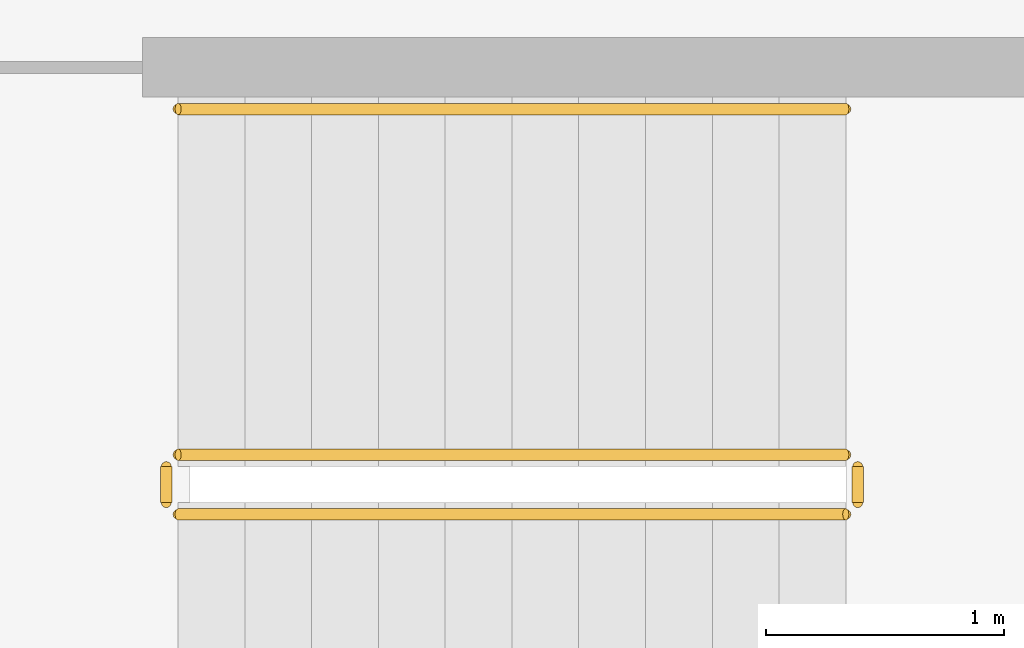
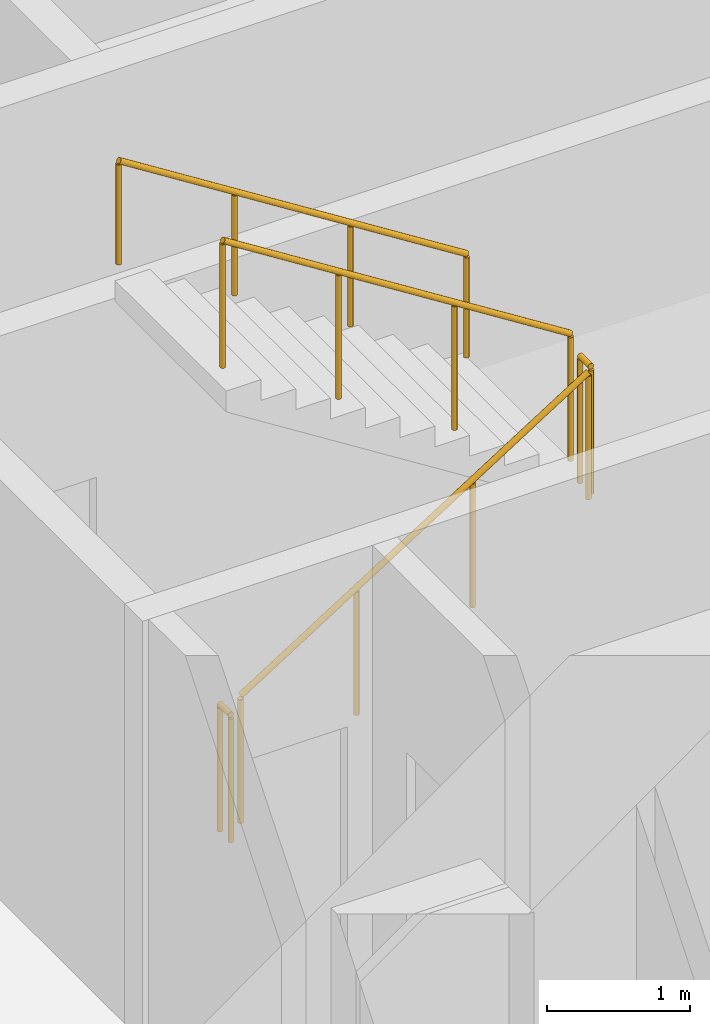
# One storey, part 16 of 24: 5 railings.
"""IFC4 building model written with IfcOpenShell, lengths in metres."""

from ifc_helpers import new_model, si_unit, direction, frame, origin, origin_2d, place, context, subcontext, project, spatial, circle, extrude, material, type_object, element, save


model = new_model("IFC4")

# Units and contexts
model_context = context("Model", 3, precision=1e-05, world=origin(), true_north=direction((0.0, 1.0)))
body_context = subcontext(model_context, "Body", "Model", "MODEL_VIEW")
ifc_project = project(units=[si_unit("LENGTHUNIT", "METRE"), si_unit("AREAUNIT", "SQUARE_METRE"), si_unit("VOLUMEUNIT", "CUBIC_METRE"), si_unit("PLANEANGLEUNIT", "RADIAN"), si_unit("MASSUNIT", "GRAM", prefix="KILO")], contexts=[model_context])

# Site, building, storey
site_placement = place(None, origin())
site = spatial("IfcSite", under=ifc_project, at=site_placement, CompositionType="ELEMENT")
building_placement = place(site_placement, origin())
building = spatial("IfcBuilding", under=site, at=building_placement, Name="Dhurran Vertical Campus", CompositionType="ELEMENT")
storey_placement = place(building_placement, frame((0.0, 0.0, 132.60009765625)))
storey = spatial("IfcBuildingStorey", under=building, at=storey_placement, Name="L32", CompositionType="ELEMENT", Elevation=132.60009765625)

# Railings
ifc_material_1 = material(Name="Stainless steel balustrade", Category="steel")
railing_type_1 = type_object("IfcRailingType", Name="co-RL-GUARD-1100", PredefinedType="GUARDRAIL", material=ifc_material_1)
railing_1_placement = place(storey_placement, frame((-11.10009765625, -9.14990234375, 0.17724609375)))
element("IfcRailing", 1, at=railing_1_placement, inside=storey, type_object=railing_type_1, Name="L32 ST3 stair guard 1", PredefinedType="GUARDRAIL", context=body_context, shape_type="SweptSolid", body=[
    extrude(circle(Radius=0.02392578125, at=origin_2d()), frame((0.0, 0.0, 1.076171875), z_axis=(0.844908973607, 0.0, 0.534910110503), x_axis=(0.0, 1.0, 0.0)), (0.0, 0.0, 1.0), 3.31396484375),
    extrude(circle(Radius=0.02099609375, at=origin_2d()), origin(), (0.0, 0.0, 1.0), 1.052001953125),
    extrude(circle(Radius=0.02099609375, at=origin_2d()), frame((0.933349609375, 0.0, 0.5908203125)), (0.0, 0.0, 1.0), 1.052001953125),
    extrude(circle(Radius=0.02099609375, at=origin_2d()), frame((1.86669921875, 0.0, 1.181884765625)), (0.0, 0.0, 1.0), 1.052001953125),
    extrude(circle(Radius=0.02099609375, at=origin_2d()), frame((2.800048828125, 0.0, 1.772705078125)), (0.0, 0.0, 1.0), 1.052001953125),
])
railing_2_placement = place(storey_placement, frame((-8.25, -9.10009765625, 1.949951171875)))
element("IfcRailing", 2, at=railing_2_placement, inside=storey, type_object=railing_type_1, Name="L32 ST3 stair guard 2", PredefinedType="GUARDRAIL", context=body_context, shape_type="SweptSolid", body=[
    extrude(circle(Radius=0.02392578125, at=origin_2d()), frame((0.0, 0.0, 1.076171875), z_axis=(0.0, 1.0, 0.0), x_axis=(-1.0, 0.0, 0.0)), (0.0, 0.0, 1.0), 0.150146484375),
    extrude(circle(Radius=0.02099609375, at=origin_2d()), origin(), (0.0, 0.0, 1.0), 1.052001953125),
    extrude(circle(Radius=0.02099609375, at=origin_2d()), frame((0.0, 0.150146484375, 0.0)), (0.0, 0.0, 1.0), 1.052001953125),
])
railing_3_placement = place(storey_placement, frame((-8.300048828125, -8.89990234375, 2.127197265625)))
element("IfcRailing", 3, at=railing_3_placement, inside=storey, type_object=railing_type_1, Name="L32 ST3 stair guard 3", PredefinedType="GUARDRAIL", context=body_context, shape_type="SweptSolid", body=[
    extrude(circle(Radius=0.02392578125, at=origin_2d()), frame((0.0, 0.0, 1.076171875), z_axis=(-0.844908973607, 0.0, 0.534910110503), x_axis=(0.0, -1.0, 0.0)), (0.0, 0.0, 1.0), 3.31396484375),
    extrude(circle(Radius=0.02099609375, at=origin_2d()), origin(), (0.0, 0.0, 1.0), 1.052001953125),
    extrude(circle(Radius=0.02099609375, at=origin_2d()), frame((-0.933349609375, 0.0, 0.5908203125)), (0.0, 0.0, 1.0), 1.052001953125),
    extrude(circle(Radius=0.02099609375, at=origin_2d()), frame((-1.86669921875, 0.0, 1.181884765625)), (0.0, 0.0, 1.0), 1.052001953125),
    extrude(circle(Radius=0.02099609375, at=origin_2d()), frame((-2.800048828125, 0.0, 1.772705078125)), (0.0, 0.0, 1.0), 1.052001953125),
])
railing_4_placement = place(storey_placement, frame((-11.14990234375, -9.10009765625, 0.0)))
element("IfcRailing", 4, at=railing_4_placement, inside=storey, type_object=railing_type_1, Name="L32 ST3 stair guard 4", PredefinedType="GUARDRAIL", context=body_context, shape_type="SweptSolid", body=[
    extrude(circle(Radius=0.02392578125, at=origin_2d()), frame((0.0, 0.0, 1.076171875), z_axis=(0.0, 1.0, 0.0), x_axis=(-1.0, 0.0, 0.0)), (0.0, 0.0, 1.0), 0.150146484375),
    extrude(circle(Radius=0.02099609375, at=origin_2d()), origin(), (0.0, 0.0, 1.0), 1.052001953125),
    extrude(circle(Radius=0.02099609375, at=origin_2d()), frame((0.0, 0.150146484375, 0.0)), (0.0, 0.0, 1.0), 1.052001953125),
])
ifc_material_2 = material(Name="Stainless steel handrail", Category="steel")
railing_type_2 = type_object("IfcRailingType", Name="co-RL-HANDRAIL-900", PredefinedType="HANDRAIL", material=ifc_material_2)
railing_5_placement = place(storey_placement, frame((-8.300048828125, -7.449951171875, 2.127197265625)))
element("IfcRailing", 5, at=railing_5_placement, inside=storey, type_object=railing_type_2, Name="L32 ST3 stair handrail 2", PredefinedType="HANDRAIL", context=body_context, shape_type="SweptSolid", body=[
    extrude(circle(Radius=0.02392578125, at=origin_2d()), frame((0.0, 0.0, 0.8759765625), z_axis=(-0.844908973607, 0.0, 0.534910110503), x_axis=(0.0, -1.0, 0.0)), (0.0, 0.0, 1.0), 3.31396484375),
    extrude(circle(Radius=0.02099609375, at=origin_2d()), origin(), (0.0, 0.0, 1.0), 0.851806640625),
    extrude(circle(Radius=0.02099609375, at=origin_2d()), frame((-0.933349609375, 0.0, 0.5908203125)), (0.0, 0.0, 1.0), 0.851806640625),
    extrude(circle(Radius=0.02099609375, at=origin_2d()), frame((-1.86669921875, 0.0, 1.181884765625)), (0.0, 0.0, 1.0), 0.851806640625),
    extrude(circle(Radius=0.02099609375, at=origin_2d()), frame((-2.800048828125, 0.0, 1.772705078125)), (0.0, 0.0, 1.0), 0.851806640625),
])

save(model, "model.ifc")
